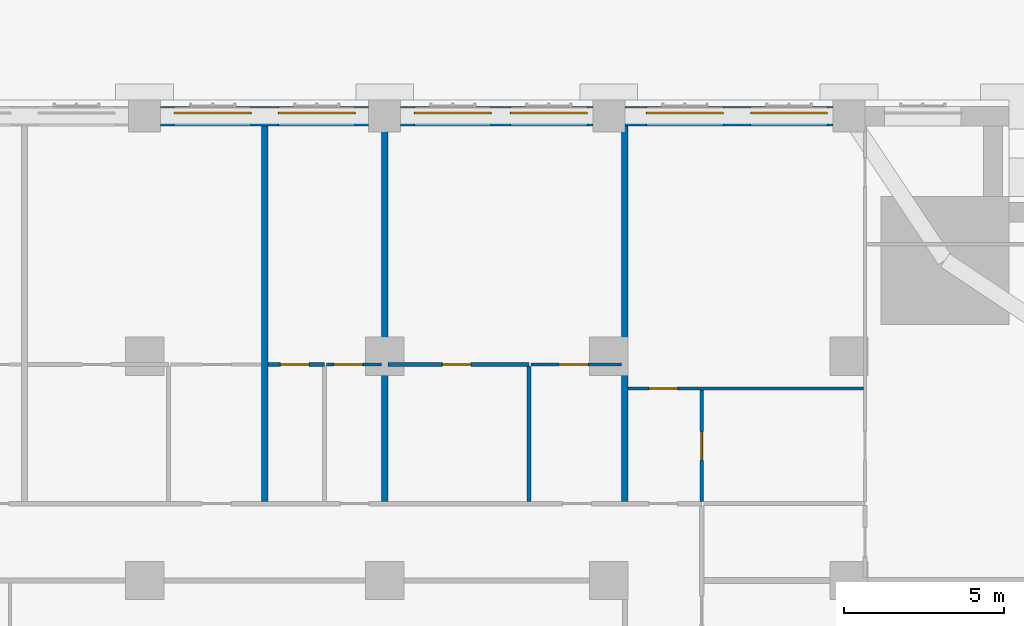
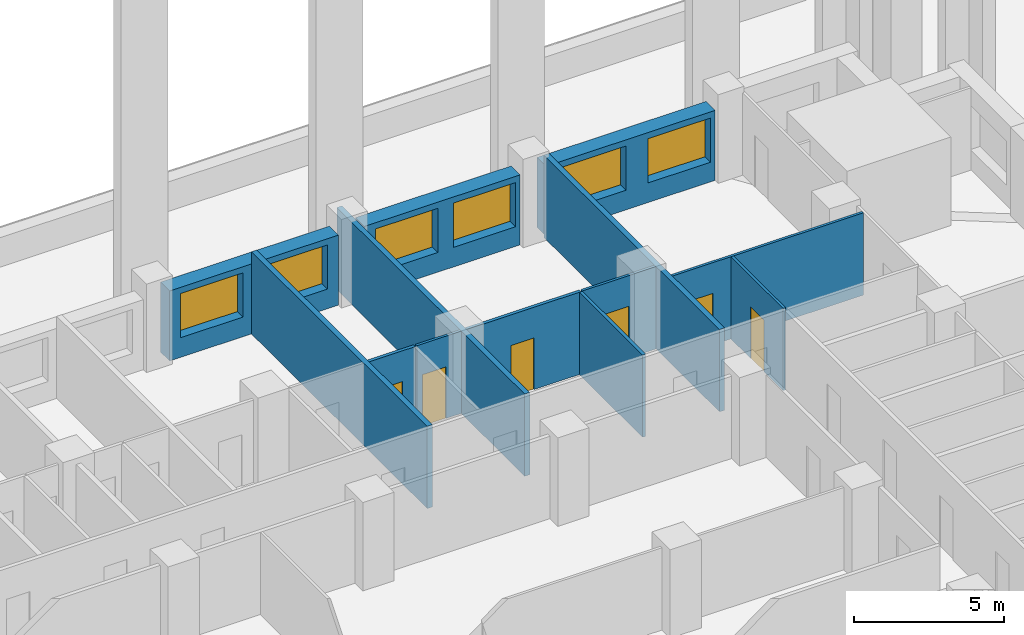
# One storey, part 20 of 27: 13 walls, 6 doors, 6 windows, 12 openings.
"""IFC4 building model written with IfcOpenShell, lengths in metres."""

from ifc_helpers import new_model, si_unit, direction, frame, frame_2d, origin, place, context, subcontext, project, spatial, rectangle, extrude, material, layer, layer_set, type_object, element, fill, save


model = new_model("IFC4")

# Units and contexts
model_context = context("Model", 3, precision=1e-05, world=origin(), true_north=direction((0.0, 1.0)))
body_context = subcontext(model_context, "Body", "Model", "MODEL_VIEW")
ifc_project = project(units=[si_unit("LENGTHUNIT", "METRE"), si_unit("AREAUNIT", "SQUARE_METRE"), si_unit("VOLUMEUNIT", "CUBIC_METRE"), si_unit("PLANEANGLEUNIT", "RADIAN"), si_unit("MASSUNIT", "GRAM", prefix="KILO")], contexts=[model_context])

# Site, building, storey
site_placement = place(None, origin())
site = spatial("IfcSite", under=ifc_project, at=site_placement, CompositionType="ELEMENT")
building_placement = place(site_placement, origin())
building = spatial("IfcBuilding", under=site, at=building_placement, Name="Tamorin Gate", CompositionType="ELEMENT")
storey_placement = place(building_placement, frame((0.0, 0.0, 34.0)))
storey = spatial("IfcBuildingStorey", under=building, at=storey_placement, Name="L06", CompositionType="ELEMENT", Elevation=34.0)

# Wall, openings, windows
ifc_material_1 = material(Name="Precast concrete C40/50", Category="concrete")
ifc_layer_1 = layer(ifc_material_1, 0.60009765625)
ifc_layer_set_1 = layer_set([ifc_layer_1], Name="Precast concrete C40/50")
wall_type_1 = type_object("IfcWallType", Name="Board-marked concrete facade panel 600", PredefinedType="SOLIDWALL", material=ifc_layer_set_1)
wall_1_placement = place(storey_placement, frame((81.5, 104.5, 0.0), z_axis=(0.0, 0.0, 1.0), x_axis=(-1.0, 0.0, 0.0)))
wall_1 = element("IfcWall", 1, at=wall_1_placement, inside=storey, type_object=wall_type_1, Name="Facade panel", PredefinedType="SOLIDWALL", context=body_context, shape_type="SweptSolid", body=[
    extrude(rectangle(XDim=6.5, YDim=0.60009765625, at=frame_2d((3.25, 0.0))), origin(), (0.0, 0.0, 1.0), 2.85009765625),
])
opening_1_placement = place(wall_1_placement, frame((3.425048828125, 0.0, 0.800048828125)))
opening_1 = element("IfcOpeningElement", 2, at=opening_1_placement, cuts=wall_1, Name="Opening WN1", PredefinedType="OPENING", context=body_context, shape_type="SweptSolid", body=[
    extrude(rectangle(XDim=2.39990234375, YDim=1.800048828125, at=frame_2d((1.199951171875, 0.89990234375))), frame((0.0, 0.31005859375, 0.0), z_axis=(0.0, -1.0, 0.0), x_axis=(1.0, 0.0, 0.0)), (0.0, 0.0, 1.0), 0.6201171875),
])
opening_2_placement = place(wall_1_placement, frame((0.175048828125, 0.0, 0.800048828125)))
opening_2 = element("IfcOpeningElement", 3, at=opening_2_placement, cuts=wall_1, Name="Opening WN1", PredefinedType="OPENING", context=body_context, shape_type="SweptSolid", body=[
    extrude(rectangle(XDim=2.39990234375, YDim=1.800048828125, at=frame_2d((1.199951171875, 0.89990234375))), frame((0.0, 0.31005859375, 0.0), z_axis=(0.0, -1.0, 0.0), x_axis=(1.0, 0.0, 0.0)), (0.0, 0.0, 1.0), 0.6201171875),
])
ifc_material_2 = material(Name="Clear glass in aluminium frame", Category="aluminium")
window_type = type_object("IfcWindowType", Name="Deep-set window 2400x1800", PartitioningType="SINGLE_PANEL", PredefinedType="WINDOW", material=ifc_material_2)
window_1_placement = place(opening_1_placement, origin())
window_1 = element("IfcWindow", 4, at=window_1_placement, inside=storey, type_object=window_type, Name="Deep-set window", OverallHeight=1.800048828125, OverallWidth=2.39990234375, PartitioningType="SINGLE_PANEL", PredefinedType="WINDOW", context=body_context, shape_type="SweptSolid", body=[
    extrude(rectangle(XDim=2.39990234375, YDim=1.800048828125, at=frame_2d((1.199951171875, 0.89990234375))), frame((0.0, -0.070068359375, 0.0), z_axis=(0.0, -1.0, 0.0), x_axis=(1.0, 0.0, 0.0)), (0.0, 0.0, 1.0), 0.06005859375),
])
fill(opening_1, window_1)
window_2_placement = place(opening_2_placement, origin())
window_2 = element("IfcWindow", 5, at=window_2_placement, inside=storey, type_object=window_type, Name="Deep-set window", OverallHeight=1.800048828125, OverallWidth=2.39990234375, PartitioningType="SINGLE_PANEL", PredefinedType="WINDOW", context=body_context, shape_type="SweptSolid", body=[
    extrude(rectangle(XDim=2.39990234375, YDim=1.800048828125, at=frame_2d((1.199951171875, 0.89990234375))), frame((0.0, -0.070068359375, 0.0), z_axis=(0.0, -1.0, 0.0), x_axis=(1.0, 0.0, 0.0)), (0.0, 0.0, 1.0), 0.06005859375),
])
fill(opening_2, window_2)

wall_2_placement = place(storey_placement, frame((74.0, 104.5, 0.0), z_axis=(0.0, 0.0, 1.0), x_axis=(-1.0, 0.0, 0.0)))
wall_2 = element("IfcWall", 6, at=wall_2_placement, inside=storey, type_object=wall_type_1, Name="Facade panel", PredefinedType="SOLIDWALL", context=body_context, shape_type="SweptSolid", body=[
    extrude(rectangle(XDim=6.0, YDim=0.60009765625, at=frame_2d((3.0, 0.0))), origin(), (0.0, 0.0, 1.0), 2.85009765625),
])
opening_3_placement = place(wall_2_placement, frame((3.175048828125, 0.0, 0.800048828125)))
opening_3 = element("IfcOpeningElement", 7, at=opening_3_placement, cuts=wall_2, Name="Opening WN1", PredefinedType="OPENING", context=body_context, shape_type="SweptSolid", body=[
    extrude(rectangle(XDim=2.39990234375, YDim=1.800048828125, at=frame_2d((1.199951171875, 0.89990234375))), frame((0.0, 0.31005859375, 0.0), z_axis=(0.0, -1.0, 0.0), x_axis=(1.0, 0.0, 0.0)), (0.0, 0.0, 1.0), 0.6201171875),
])
opening_4_placement = place(wall_2_placement, frame((0.175048828125, 0.0, 0.800048828125)))
opening_4 = element("IfcOpeningElement", 8, at=opening_4_placement, cuts=wall_2, Name="Opening WN1", PredefinedType="OPENING", context=body_context, shape_type="SweptSolid", body=[
    extrude(rectangle(XDim=2.39990234375, YDim=1.800048828125, at=frame_2d((1.199951171875, 0.89990234375))), frame((0.0, 0.31005859375, 0.0), z_axis=(0.0, -1.0, 0.0), x_axis=(1.0, 0.0, 0.0)), (0.0, 0.0, 1.0), 0.6201171875),
])
window_3_placement = place(opening_3_placement, origin())
window_3 = element("IfcWindow", 9, at=window_3_placement, inside=storey, type_object=window_type, Name="Deep-set window", OverallHeight=1.800048828125, OverallWidth=2.39990234375, PartitioningType="SINGLE_PANEL", PredefinedType="WINDOW", context=body_context, shape_type="SweptSolid", body=[
    extrude(rectangle(XDim=2.39990234375, YDim=1.800048828125, at=frame_2d((1.199951171875, 0.89990234375))), frame((0.0, -0.070068359375, 0.0), z_axis=(0.0, -1.0, 0.0), x_axis=(1.0, 0.0, 0.0)), (0.0, 0.0, 1.0), 0.06005859375),
])
fill(opening_3, window_3)
window_4_placement = place(opening_4_placement, origin())
window_4 = element("IfcWindow", 10, at=window_4_placement, inside=storey, type_object=window_type, Name="Deep-set window", OverallHeight=1.800048828125, OverallWidth=2.39990234375, PartitioningType="SINGLE_PANEL", PredefinedType="WINDOW", context=body_context, shape_type="SweptSolid", body=[
    extrude(rectangle(XDim=2.39990234375, YDim=1.800048828125, at=frame_2d((1.199951171875, 0.89990234375))), frame((0.0, -0.070068359375, 0.0), z_axis=(0.0, -1.0, 0.0), x_axis=(1.0, 0.0, 0.0)), (0.0, 0.0, 1.0), 0.06005859375),
])
fill(opening_4, window_4)

wall_3_placement = place(storey_placement, frame((67.0, 104.5, 0.0), z_axis=(0.0, 0.0, 1.0), x_axis=(-1.0, 0.0, 0.0)))
wall_3 = element("IfcWall", 11, at=wall_3_placement, inside=storey, type_object=wall_type_1, Name="Facade panel", PredefinedType="SOLIDWALL", context=body_context, shape_type="SweptSolid", body=[
    extrude(rectangle(XDim=6.5, YDim=0.60009765625, at=frame_2d((3.25, 0.0))), origin(), (0.0, 0.0, 1.0), 2.85009765625),
])
opening_5_placement = place(wall_3_placement, frame((3.675048828125, 0.0, 0.800048828125)))
opening_5 = element("IfcOpeningElement", 12, at=opening_5_placement, cuts=wall_3, Name="Opening WN1", PredefinedType="OPENING", context=body_context, shape_type="SweptSolid", body=[
    extrude(rectangle(XDim=2.39990234375, YDim=1.800048828125, at=frame_2d((1.199951171875, 0.89990234375))), frame((0.0, 0.31005859375, 0.0), z_axis=(0.0, -1.0, 0.0), x_axis=(1.0, 0.0, 0.0)), (0.0, 0.0, 1.0), 0.6201171875),
])
opening_6_placement = place(wall_3_placement, frame((0.425048828125, 0.0, 0.800048828125)))
opening_6 = element("IfcOpeningElement", 13, at=opening_6_placement, cuts=wall_3, Name="Opening WN1", PredefinedType="OPENING", context=body_context, shape_type="SweptSolid", body=[
    extrude(rectangle(XDim=2.39990234375, YDim=1.800048828125, at=frame_2d((1.199951171875, 0.89990234375))), frame((0.0, 0.31005859375, 0.0), z_axis=(0.0, -1.0, 0.0), x_axis=(1.0, 0.0, 0.0)), (0.0, 0.0, 1.0), 0.6201171875),
])
window_5_placement = place(opening_5_placement, origin())
window_5 = element("IfcWindow", 14, at=window_5_placement, inside=storey, type_object=window_type, Name="Deep-set window", OverallHeight=1.800048828125, OverallWidth=2.39990234375, PartitioningType="SINGLE_PANEL", PredefinedType="WINDOW", context=body_context, shape_type="SweptSolid", body=[
    extrude(rectangle(XDim=2.39990234375, YDim=1.800048828125, at=frame_2d((1.199951171875, 0.89990234375))), frame((0.0, -0.070068359375, 0.0), z_axis=(0.0, -1.0, 0.0), x_axis=(1.0, 0.0, 0.0)), (0.0, 0.0, 1.0), 0.06005859375),
])
fill(opening_5, window_5)
window_6_placement = place(opening_6_placement, origin())
window_6 = element("IfcWindow", 15, at=window_6_placement, inside=storey, type_object=window_type, Name="Deep-set window", OverallHeight=1.800048828125, OverallWidth=2.39990234375, PartitioningType="SINGLE_PANEL", PredefinedType="WINDOW", context=body_context, shape_type="SweptSolid", body=[
    extrude(rectangle(XDim=2.39990234375, YDim=1.800048828125, at=frame_2d((1.199951171875, 0.89990234375))), frame((0.0, -0.070068359375, 0.0), z_axis=(0.0, -1.0, 0.0), x_axis=(1.0, 0.0, 0.0)), (0.0, 0.0, 1.0), 0.06005859375),
])
fill(opening_6, window_6)

# Walls
ifc_material_3 = material(Name="Gypsum board partition")
ifc_layer_2 = layer(ifc_material_3, 0.199951171875)
ifc_layer_set_2 = layer_set([ifc_layer_2], Name="Demising wall 200")
wall_type_2 = type_object("IfcWallType", Name="Demising wall 200", PredefinedType="PARTITIONING", material=ifc_layer_set_2)
wall_4_placement = place(storey_placement, frame((63.75, 92.47509765625, 0.0), z_axis=(0.0, 0.0, 1.0), x_axis=(0.0, 1.0, 0.0)))
element("IfcWall", 16, at=wall_4_placement, inside=storey, type_object=wall_type_2, Name="Demising wall 200", PredefinedType="PARTITIONING", context=body_context, shape_type="SweptSolid", body=[
    extrude(rectangle(XDim=11.71484375, YDim=0.199951171875, at=frame_2d((5.857421875, 0.0))), origin(), (0.0, 0.0, 1.0), 3.35009765625),
])
wall_5_placement = place(storey_placement, frame((67.5, 92.47509765625, 0.0), z_axis=(0.0, 0.0, 1.0), x_axis=(0.0, 1.0, 0.0)))
element("IfcWall", 17, at=wall_5_placement, inside=storey, type_object=wall_type_2, Name="Demising wall 200", PredefinedType="PARTITIONING", context=body_context, shape_type="SweptSolid", body=[
    extrude(rectangle(XDim=12.52490234375, YDim=0.199951171875, at=frame_2d((6.262451171875, 0.0))), origin(), (0.0, 0.0, 1.0), 3.35009765625),
])
wall_6_placement = place(storey_placement, frame((75.0, 92.47509765625, 0.0), z_axis=(0.0, 0.0, 1.0), x_axis=(0.0, 1.0, 0.0)))
element("IfcWall", 18, at=wall_6_placement, inside=storey, type_object=wall_type_2, Name="Demising wall 200", PredefinedType="PARTITIONING", context=body_context, shape_type="SweptSolid", body=[
    extrude(rectangle(XDim=11.71484375, YDim=0.199951171875, at=frame_2d((5.857421875, 0.0))), origin(), (0.0, 0.0, 1.0), 3.35009765625),
])

# Wall, opening, door
ifc_layer_3 = layer(ifc_material_3, 0.10009765625)
ifc_layer_set_3 = layer_set([ifc_layer_3], Name="Room partition 100")
wall_type_3 = type_object("IfcWallType", Name="Room partition 100", PredefinedType="PARTITIONING", material=ifc_layer_set_3)
wall_7_placement = place(storey_placement, frame((75.10009765625, 96.0, 0.0), z_axis=(0.0, 0.0, 1.0), x_axis=(1.0, 0.0, 0.0)))
wall_7 = element("IfcWall", 19, at=wall_7_placement, inside=storey, type_object=wall_type_3, Name="Room partition 100", PredefinedType="PARTITIONING", context=body_context, shape_type="SweptSolid", body=[
    extrude(rectangle(XDim=7.349853515625, YDim=0.10009765625, at=frame_2d((3.6748046875, 0.0))), origin(), (0.0, 0.0, 1.0), 3.35009765625),
])
opening_7_placement = place(wall_7_placement, frame((0.64990234375, 0.0, 0.0)))
opening_7 = element("IfcOpeningElement", 20, at=opening_7_placement, cuts=wall_7, Name="Opening DH1088", PredefinedType="OPENING", context=body_context, shape_type="SweptSolid", body=[
    extrude(rectangle(XDim=0.89990234375, YDim=2.10009765625, at=frame_2d((0.449951171875, 1.050048828125))), frame((0.0, 0.06005859375, 0.0), z_axis=(0.0, -1.0, 0.0), x_axis=(1.0, 0.0, 0.0)), (0.0, 0.0, 1.0), 0.1201171875),
])
ifc_material_4 = material(Name="Timber door leaf", Category="wood")
door_type = type_object("IfcDoorType", Name="Door 900 x 2100", OperationType="NOTDEFINED", PredefinedType="DOOR", material=ifc_material_4)
door_1_placement = place(opening_7_placement, origin())
door_1 = element("IfcDoor", 21, at=door_1_placement, inside=storey, type_object=door_type, Name="Door DH1088", OperationType="SINGLE_SWING_LEFT", OverallHeight=2.10009765625, OverallWidth=0.89990234375, PredefinedType="DOOR", context=body_context, shape_type="SweptSolid", body=[
    extrude(rectangle(XDim=0.89990234375, YDim=2.10009765625, at=frame_2d((0.449951171875, 1.050048828125))), frame((0.0, 0.02490234375, 0.0), z_axis=(0.0, -1.0, 0.0), x_axis=(1.0, 0.0, 0.0)), (0.0, 0.0, 1.0), 0.050048828125),
])
fill(opening_7, door_1)

wall_8_placement = place(storey_placement, frame((65.6875, 96.75, 0.0), z_axis=(0.0, 0.0, 1.0), x_axis=(1.0, 0.0, 0.0)))
wall_8 = element("IfcWall", 22, at=wall_8_placement, inside=storey, type_object=wall_type_3, Name="Room partition 100", PredefinedType="PARTITIONING", context=body_context, shape_type="SweptSolid", body=[
    extrude(rectangle(XDim=1.71240234375, YDim=0.10009765625, at=frame_2d((0.856201171875, 0.0))), origin(), (0.0, 0.0, 1.0), 3.35009765625),
])
opening_8_placement = place(wall_8_placement, frame((0.22509765625, 0.0, 0.0)))
opening_8 = element("IfcOpeningElement", 23, at=opening_8_placement, cuts=wall_8, Name="Opening DH1047", PredefinedType="OPENING", context=body_context, shape_type="SweptSolid", body=[
    extrude(rectangle(XDim=0.89990234375, YDim=2.10009765625, at=frame_2d((0.449951171875, 1.050048828125))), frame((0.0, 0.06005859375, 0.0), z_axis=(0.0, -1.0, 0.0), x_axis=(1.0, 0.0, 0.0)), (0.0, 0.0, 1.0), 0.1201171875),
])
door_2_placement = place(opening_8_placement, origin())
door_2 = element("IfcDoor", 24, at=door_2_placement, inside=storey, type_object=door_type, Name="Door DH1047", OperationType="SINGLE_SWING_RIGHT", OverallHeight=2.10009765625, OverallWidth=0.89990234375, PredefinedType="DOOR", context=body_context, shape_type="SweptSolid", body=[
    extrude(rectangle(XDim=0.89990234375, YDim=2.10009765625, at=frame_2d((0.449951171875, 1.050048828125))), frame((0.0, 0.02490234375, 0.0), z_axis=(0.0, -1.0, 0.0), x_axis=(1.0, 0.0, 0.0)), (0.0, 0.0, 1.0), 0.050048828125),
])
fill(opening_8, door_2)

wall_9_placement = place(storey_placement, frame((72.0625, 96.75, 0.0), z_axis=(0.0, 0.0, 1.0), x_axis=(1.0, 0.0, 0.0)))
wall_9 = element("IfcWall", 25, at=wall_9_placement, inside=storey, type_object=wall_type_3, Name="Room partition 100", PredefinedType="PARTITIONING", context=body_context, shape_type="SweptSolid", body=[
    extrude(rectangle(XDim=2.83740234375, YDim=0.10009765625, at=frame_2d((1.418701171875, 0.0))), origin(), (0.0, 0.0, 1.0), 3.35009765625),
])
opening_9_placement = place(wall_9_placement, frame((0.887451171875, 0.0, 0.0)))
opening_9 = element("IfcOpeningElement", 26, at=opening_9_placement, cuts=wall_9, Name="Opening DH1050", PredefinedType="OPENING", context=body_context, shape_type="SweptSolid", body=[
    extrude(rectangle(XDim=0.89990234375, YDim=2.10009765625, at=frame_2d((0.449951171875, 1.050048828125))), frame((0.0, 0.06005859375, 0.0), z_axis=(0.0, -1.0, 0.0), x_axis=(1.0, 0.0, 0.0)), (0.0, 0.0, 1.0), 0.1201171875),
])
door_3_placement = place(opening_9_placement, origin())
door_3 = element("IfcDoor", 27, at=door_3_placement, inside=storey, type_object=door_type, Name="Door DH1050", OperationType="SINGLE_SWING_RIGHT", OverallHeight=2.10009765625, OverallWidth=0.89990234375, PredefinedType="DOOR", context=body_context, shape_type="SweptSolid", body=[
    extrude(rectangle(XDim=0.89990234375, YDim=2.10009765625, at=frame_2d((0.449951171875, 1.050048828125))), frame((0.0, 0.02490234375, 0.0), z_axis=(0.0, -1.0, 0.0), x_axis=(1.0, 0.0, 0.0)), (0.0, 0.0, 1.0), 0.050048828125),
])
fill(opening_9, door_3)

wall_10_placement = place(storey_placement, frame((77.39990234375, 92.47509765625, 0.0), z_axis=(0.0, 0.0, 1.0), x_axis=(0.0, 1.0, 0.0)))
wall_10 = element("IfcWall", 28, at=wall_10_placement, inside=storey, type_object=wall_type_3, Name="Room partition 100", PredefinedType="PARTITIONING", context=body_context, shape_type="SweptSolid", body=[
    extrude(rectangle(XDim=3.474853515625, YDim=0.10009765625, at=frame_2d((1.7373046875, 0.0))), origin(), (0.0, 0.0, 1.0), 3.35009765625),
])
opening_10_placement = place(wall_10_placement, frame((1.27490234375, 0.0, 0.0)))
opening_10 = element("IfcOpeningElement", 29, at=opening_10_placement, cuts=wall_10, Name="Opening DH1089", PredefinedType="OPENING", context=body_context, shape_type="SweptSolid", body=[
    extrude(rectangle(XDim=0.89990234375, YDim=2.10009765625, at=frame_2d((0.449951171875, 1.050048828125))), frame((0.0, 0.06005859375, 0.0), z_axis=(0.0, -1.0, 0.0), x_axis=(1.0, 0.0, 0.0)), (0.0, 0.0, 1.0), 0.1201171875),
])
door_4_placement = place(opening_10_placement, origin())
door_4 = element("IfcDoor", 30, at=door_4_placement, inside=storey, type_object=door_type, Name="Door DH1089", OperationType="SINGLE_SWING_RIGHT", OverallHeight=2.10009765625, OverallWidth=0.89990234375, PredefinedType="DOOR", context=body_context, shape_type="SweptSolid", body=[
    extrude(rectangle(XDim=0.89990234375, YDim=2.10009765625, at=frame_2d((0.449951171875, 1.050048828125))), frame((0.0, 0.02490234375, 0.0), z_axis=(0.0, -1.0, 0.0), x_axis=(1.0, 0.0, 0.0)), (0.0, 0.0, 1.0), 0.050048828125),
])
fill(opening_10, door_4)

ifc_layer_4 = layer(ifc_material_3, 0.125)
ifc_layer_set_4 = layer_set([ifc_layer_4], Name="Wet wall 125")
wall_type_4 = type_object("IfcWallType", Name="Wet wall 125", PredefinedType="PARTITIONING", material=ifc_layer_set_4)
wall_11_placement = place(storey_placement, frame((63.85009765625, 96.75, 0.0), z_axis=(0.0, 0.0, 1.0), x_axis=(1.0, 0.0, 0.0)))
wall_11 = element("IfcWall", 31, at=wall_11_placement, inside=storey, type_object=wall_type_4, Name="Wet wall 125", PredefinedType="PARTITIONING", context=body_context, shape_type="SweptSolid", body=[
    extrude(rectangle(XDim=1.77490234375, YDim=0.125, at=frame_2d((0.887451171875, 0.0))), origin(), (0.0, 0.0, 1.0), 3.35009765625),
])
opening_11_placement = place(wall_11_placement, frame((0.387451171875, 0.0, 0.0)))
opening_11 = element("IfcOpeningElement", 32, at=opening_11_placement, cuts=wall_11, Name="Opening DH1045", PredefinedType="OPENING", context=body_context, shape_type="SweptSolid", body=[
    extrude(rectangle(XDim=0.89990234375, YDim=2.10009765625, at=frame_2d((0.449951171875, 1.050048828125))), frame((0.0, 0.072509765625, 0.0), z_axis=(0.0, -1.0, 0.0), x_axis=(1.0, 0.0, 0.0)), (0.0, 0.0, 1.0), 0.14501953125),
])
door_5_placement = place(opening_11_placement, origin())
door_5 = element("IfcDoor", 33, at=door_5_placement, inside=storey, type_object=door_type, Name="Door DH1045", OperationType="SINGLE_SWING_RIGHT", OverallHeight=2.10009765625, OverallWidth=0.89990234375, PredefinedType="DOOR", context=body_context, shape_type="SweptSolid", body=[
    extrude(rectangle(XDim=0.89990234375, YDim=2.10009765625, at=frame_2d((0.449951171875, 1.050048828125))), frame((0.0, 0.02490234375, 0.0), z_axis=(0.0, -1.0, 0.0), x_axis=(1.0, 0.0, 0.0)), (0.0, 0.0, 1.0), 0.050048828125),
])
fill(opening_11, door_5)

wall_12_placement = place(storey_placement, frame((67.60009765625, 96.75, 0.0), z_axis=(0.0, 0.0, 1.0), x_axis=(1.0, 0.0, 0.0)))
wall_12 = element("IfcWall", 34, at=wall_12_placement, inside=storey, type_object=wall_type_4, Name="Wet wall 125", PredefinedType="PARTITIONING", context=body_context, shape_type="SweptSolid", body=[
    extrude(rectangle(XDim=4.39990234375, YDim=0.125, at=frame_2d((2.199951171875, 0.0))), origin(), (0.0, 0.0, 1.0), 3.35009765625),
])
opening_12_placement = place(wall_12_placement, frame((1.699951171875, 0.0, 0.0)))
opening_12 = element("IfcOpeningElement", 35, at=opening_12_placement, cuts=wall_12, Name="Opening DH1048", PredefinedType="OPENING", context=body_context, shape_type="SweptSolid", body=[
    extrude(rectangle(XDim=0.89990234375, YDim=2.10009765625, at=frame_2d((0.449951171875, 1.050048828125))), frame((0.0, 0.072509765625, 0.0), z_axis=(0.0, -1.0, 0.0), x_axis=(1.0, 0.0, 0.0)), (0.0, 0.0, 1.0), 0.14501953125),
])
door_6_placement = place(opening_12_placement, origin())
door_6 = element("IfcDoor", 36, at=door_6_placement, inside=storey, type_object=door_type, Name="Door DH1048", OperationType="SINGLE_SWING_RIGHT", OverallHeight=2.10009765625, OverallWidth=0.89990234375, PredefinedType="DOOR", context=body_context, shape_type="SweptSolid", body=[
    extrude(rectangle(XDim=0.89990234375, YDim=2.10009765625, at=frame_2d((0.449951171875, 1.050048828125))), frame((0.0, 0.02490234375, 0.0), z_axis=(0.0, -1.0, 0.0), x_axis=(1.0, 0.0, 0.0)), (0.0, 0.0, 1.0), 0.050048828125),
])
fill(opening_12, door_6)

# Wall
wall_13_placement = place(storey_placement, frame((72.0, 92.47509765625, 0.0), z_axis=(0.0, 0.0, 1.0), x_axis=(0.0, 1.0, 0.0)))
element("IfcWall", 37, at=wall_13_placement, inside=storey, type_object=wall_type_4, Name="Wet wall 125", PredefinedType="PARTITIONING", context=body_context, shape_type="SweptSolid", body=[
    extrude(rectangle(XDim=4.21240234375, YDim=0.125, at=frame_2d((2.106201171875, 0.0))), origin(), (0.0, 0.0, 1.0), 3.35009765625),
])

save(model, "model.ifc")
